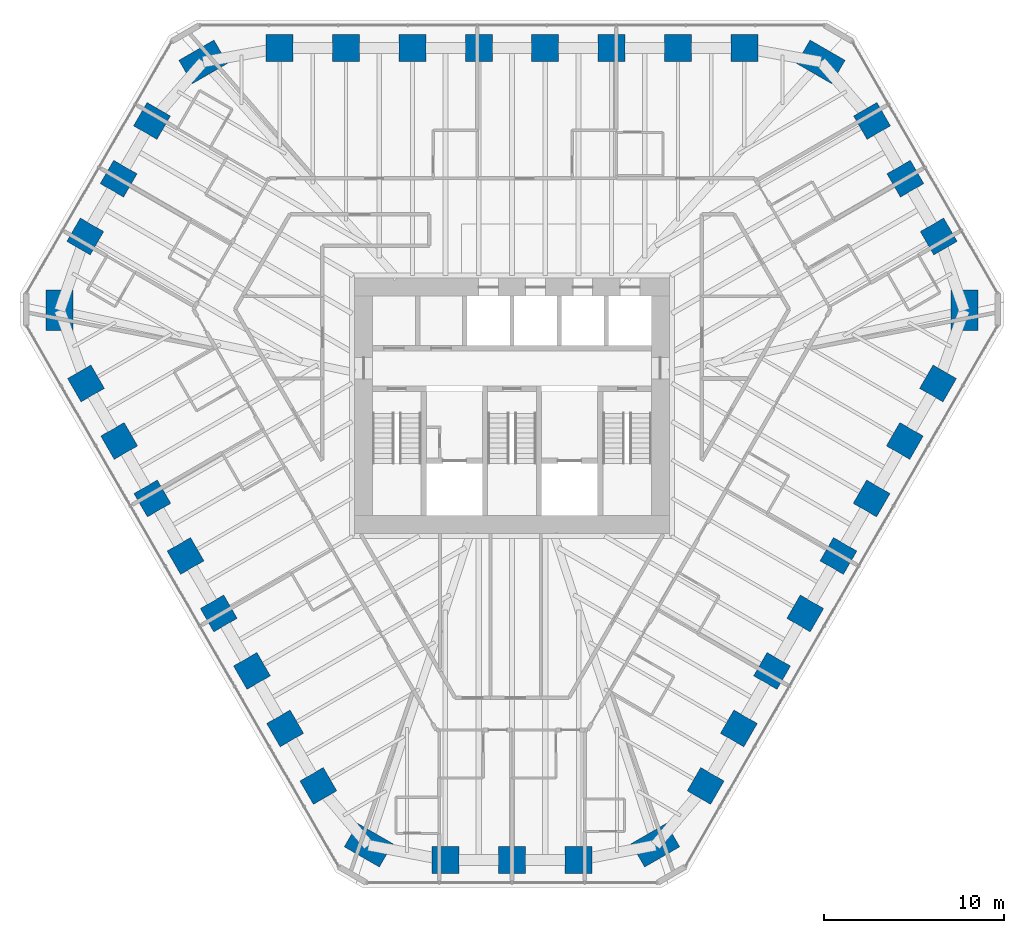
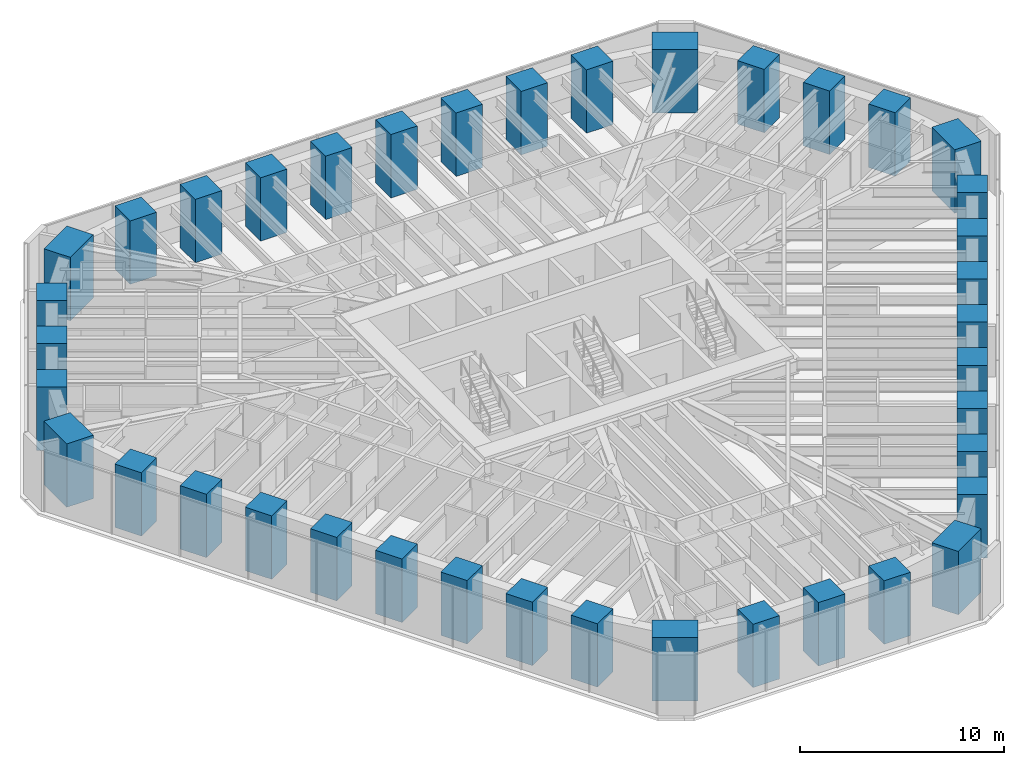
# One storey, part 1 of 17: 39 columns.
"""IFC4 building model written with IfcOpenShell, lengths in metres."""

from ifc_helpers import new_model, si_unit, direction, frame, origin, origin_2d, place, context, subcontext, project, spatial, rectangle, extrude, material, material_profile, profile_set, type_object, element, save


model = new_model("IFC4")

# Units and contexts
model_context = context("Model", 3, precision=1e-05, world=origin(), true_north=direction((0.0, 1.0)))
body_context = subcontext(model_context, "Body", "Model", "MODEL_VIEW")
ifc_project = project(units=[si_unit("LENGTHUNIT", "METRE"), si_unit("AREAUNIT", "SQUARE_METRE"), si_unit("VOLUMEUNIT", "CUBIC_METRE"), si_unit("PLANEANGLEUNIT", "RADIAN"), si_unit("MASSUNIT", "GRAM", prefix="KILO")], contexts=[model_context])

# Site, building, storey
site_placement = place(None, origin())
site = spatial("IfcSite", under=ifc_project, at=site_placement, CompositionType="ELEMENT")
building_placement = place(site_placement, origin())
building = spatial("IfcBuilding", under=site, at=building_placement, Name="Sandreach Pilgrim Tower", CompositionType="ELEMENT")
storey_placement = place(building_placement, frame((0.0, 0.0, 198.39990234375)))
storey = spatial("IfcBuildingStorey", under=building, at=storey_placement, Name="L49", CompositionType="ELEMENT", Elevation=198.39990234375)

# Columns
ifc_material_1 = material(Name="Concrete 10000 psi", Category="concrete")
ifc_material_profile_1 = material_profile(ifc_material_1, rectangle(XDim=1.5, YDim=1.5, at=origin_2d()), Name="RC1500X1500")
ifc_profile_set_1 = profile_set([ifc_material_profile_1], Name="Concrete 10000 psi")
column_type_1 = type_object("IfcColumnType", Name="Tube column RC1500X1500", PredefinedType="COLUMN", material=ifc_profile_set_1)
for number, where, z_axis, x_axis, name in (
    (1, (-12.923828125, 19.900146484375, 0.0), (0.0, 0.0, 1.0), (0.0, 1.0, 0.0), "COL L49 T01"),
    (2, (-9.231201171875, 19.900146484375, 0.0), (0.0, 0.0, 1.0), (0.0, 1.0, 0.0), "COL L49 T02"),
    (3, (-5.538818359375, 19.900146484375, 0.0), (0.0, 0.0, 1.0), (0.0, 1.0, 0.0), "COL L49 T03"),
    (4, (-1.84619140625, 19.900146484375, 0.0), (0.0, 0.0, 1.0), (0.0, 1.0, 0.0), "COL L49 T04"),
    (5, (1.84619140625, 19.900146484375, 0.0), (0.0, 0.0, 1.0), (0.0, 1.0, 0.0), "COL L49 T05"),
    (6, (5.538818359375, 19.900146484375, 0.0), (0.0, 0.0, 1.0), (0.0, 1.0, 0.0), "COL L49 T06"),
    (7, (9.231201171875, 19.900146484375, 0.0), (0.0, 0.0, 1.0), (0.0, 1.0, 0.0), "COL L49 T07"),
    (8, (12.923828125, 19.900146484375, 0.0), (0.0, 0.0, 1.0), (0.0, 1.0, 0.0), "COL L49 T08"),
    (9, (20.025146484375, 15.845947265625, 0.0), (0.0, 0.0, 1.0), (0.866025403784, 0.5, 0.0), "COL L49 T10"),
    (10, (21.88037109375, 12.632568359375, 0.0), (0.0, 0.0, 1.0), (0.866025403784, 0.5, 0.0), "COL L49 T11"),
    (11, (23.7353515625, 9.419189453125, 0.0), (0.0, 0.0, 1.0), (0.866025403784, 0.5, 0.0), "COL L49 T12"),
    (12, (23.69580078125, 1.2421875, 0.0), (0.0, 0.0, 1.0), (0.866025403784, -0.5, 0.0), "COL L49 T14"),
    (13, (21.849609375, -1.95556640625, 0.0), (0.0, 0.0, 1.0), (0.866025403784, -0.5, 0.0), "COL L49 T15"),
    (14, (20.00341796875, -5.1533203125, 0.0), (0.0, 0.0, 1.0), (0.866025403784, -0.5, 0.0), "COL L49 T16"),
    (15, (18.1572265625, -8.35107421875, 0.0), (0.0, 0.0, 1.0), (0.866025403784, -0.5, 0.0), "COL L49 T17"),
    (16, (16.310791015625, -11.548828125, 0.0), (0.0, 0.0, 1.0), (0.866025403784, -0.5, 0.0), "COL L49 T18"),
    (17, (14.464599609375, -14.746826171875, 0.0), (0.0, 0.0, 1.0), (0.866025403784, -0.5, 0.0), "COL L49 T19"),
    (18, (12.618408203125, -17.944580078125, 0.0), (0.0, 0.0, 1.0), (0.866025403784, -0.5, 0.0), "COL L49 T20"),
    (19, (10.772216796875, -21.142333984375, 0.0), (0.0, 0.0, 1.0), (0.866025403784, -0.5, 0.0), "COL L49 T21"),
    (20, (3.71044921875, -25.26513671875, 0.0), (0.0, 0.0, 1.0), (0.0, -1.0, 0.0), "COL L49 T23"),
    (21, (0.0, -25.26513671875, 0.0), (0.0, 0.0, 1.0), (0.0, -1.0, 0.0), "COL L49 T24"),
    (22, (-3.71044921875, -25.26513671875, 0.0), (0.0, 0.0, 1.0), (0.0, -1.0, 0.0), "COL L49 T25"),
    (23, (-10.772216796875, -21.142333984375, 0.0), (0.0, 0.0, 1.0), (-0.866025403784, -0.5, 0.0), "COL L49 T27"),
    (24, (-12.618408203125, -17.944580078125, 0.0), (0.0, 0.0, 1.0), (-0.866025403784, -0.5, 0.0), "COL L49 T28"),
    (25, (-14.464599609375, -14.746826171875, 0.0), (0.0, 0.0, 1.0), (-0.866025403784, -0.5, 0.0), "COL L49 T29"),
    (26, (-16.310791015625, -11.548828125, 0.0), (0.0, 0.0, 1.0), (-0.866025403784, -0.5, 0.0), "COL L49 T30"),
    (27, (-18.1572265625, -8.35107421875, 0.0), (0.0, 0.0, 1.0), (-0.866025403784, -0.5, 0.0), "COL L49 T31"),
    (28, (-20.00341796875, -5.1533203125, 0.0), (0.0, 0.0, 1.0), (-0.866025403784, -0.5, 0.0), "COL L49 T32"),
    (29, (-21.849609375, -1.95556640625, 0.0), (0.0, 0.0, 1.0), (-0.866025403784, -0.5, 0.0), "COL L49 T33"),
    (30, (-23.69580078125, 1.2421875, 0.0), (0.0, 0.0, 1.0), (-0.866025403784, -0.5, 0.0), "COL L49 T34"),
    (31, (-23.7353515625, 9.419189453125, 0.0), (0.0, 0.0, 1.0), (-0.866025403784, 0.5, 0.0), "COL L49 T36"),
    (32, (-21.88037109375, 12.632568359375, 0.0), (0.0, 0.0, 1.0), (-0.866025403784, 0.5, 0.0), "COL L49 T37"),
    (33, (-20.025146484375, 15.845947265625, 0.0), (0.0, 0.0, 1.0), (-0.866025403784, 0.5, 0.0), "COL L49 T38"),
):
    element("IfcColumn", number, at=place(storey_placement, frame(where, z_axis=z_axis, x_axis=x_axis)), inside=storey, type_object=column_type_1, Name=name, PredefinedType="COLUMN", context=body_context, shape_type="SweptSolid", body=[
        extrude(rectangle(XDim=1.5, YDim=1.5, at=origin_2d()), origin(), (0.0, 0.0, 1.0), 3.800048828125),
    ])
ifc_material_2 = material(Name="Concrete 10000 psi", Category="concrete")
ifc_material_profile_2 = material_profile(ifc_material_2, rectangle(XDim=1.5, YDim=2.25, at=origin_2d()), Name="RC1500X2250")
ifc_profile_set_2 = profile_set([ifc_material_profile_2], Name="Concrete 10000 psi")
column_type_2 = type_object("IfcColumnType", Name="Tube corner pier RC1500X2250", PredefinedType="COLUMN", material=ifc_profile_set_2)
for number, where, z_axis, x_axis, name in (
    (34, (17.177978515625, 19.130615234375, 0.0), (0.0, 0.0, 1.0), (0.5, 0.866025403784, 0.0), "COL L49 T09"),
    (35, (25.156494140625, 5.311279296875, 0.0), (0.0, 0.0, 1.0), (1.0, 0.0, 0.0), "COL L49 T13"),
    (36, (7.978515625, -24.44189453125, 0.0), (0.0, 0.0, 1.0), (0.5, -0.866025403784, 0.0), "COL L49 T22"),
    (37, (-7.978515625, -24.44189453125, 0.0), (0.0, 0.0, 1.0), (-0.5, -0.866025403784, 0.0), "COL L49 T26"),
    (38, (-25.156494140625, 5.311279296875, 0.0), (0.0, 0.0, 1.0), (-1.0, 0.0, 0.0), "COL L49 T35"),
    (39, (-17.177978515625, 19.130615234375, 0.0), (0.0, 0.0, 1.0), (-0.5, 0.866025403784, 0.0), "COL L49 T39"),
):
    element("IfcColumn", number, at=place(storey_placement, frame(where, z_axis=z_axis, x_axis=x_axis)), inside=storey, type_object=column_type_2, Name=name, PredefinedType="COLUMN", context=body_context, shape_type="SweptSolid", body=[
        extrude(rectangle(XDim=1.5, YDim=2.25, at=origin_2d()), origin(), (0.0, 0.0, 1.0), 3.800048828125),
    ])

save(model, "model.ifc")
